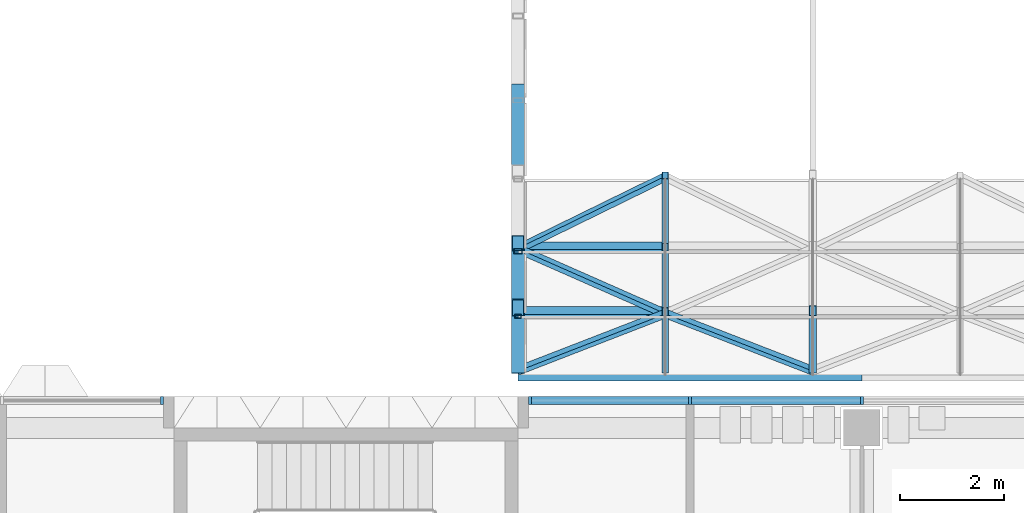
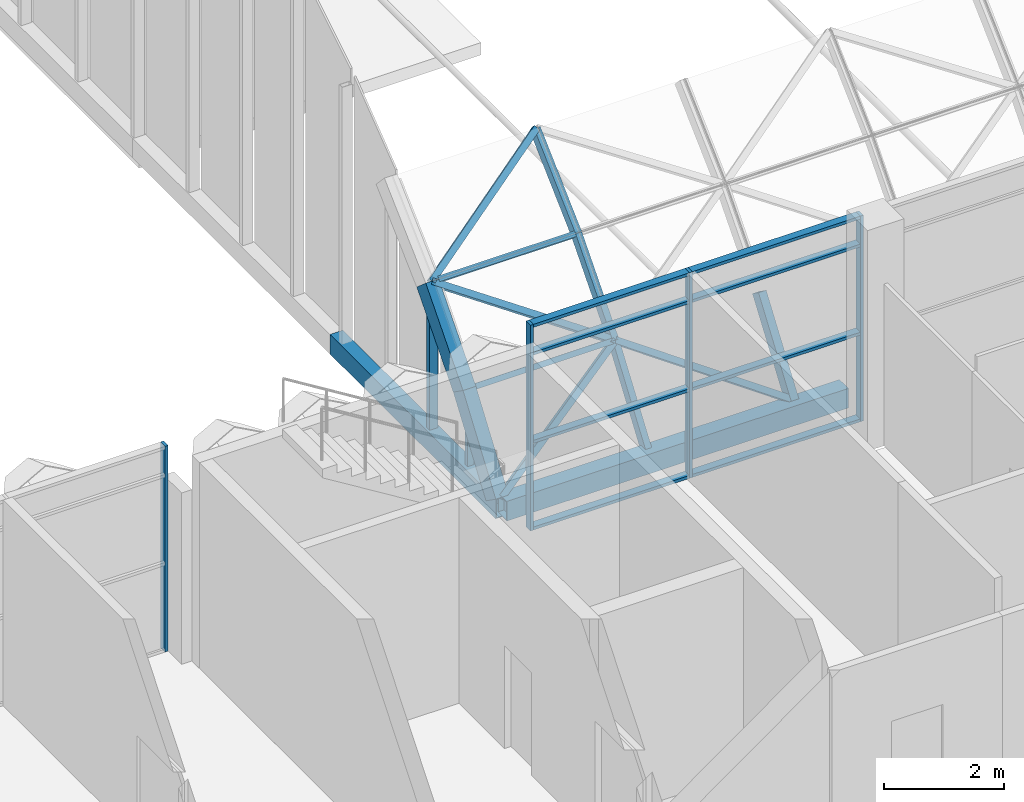
# One storey, part 14 of 109: 26 members, 2 beams, 2 elements without a shape of their own.
"""IFC4 building model written with IfcOpenShell, lengths in metres."""

from ifc_helpers import new_model, si_unit, direction, frame, origin, origin_2d, place, context, subcontext, project, spatial, rectangle, hollow_rectangle, extrude, material, material_profile, profile_set, type_object, element, aggregate, save


model = new_model("IFC4")

# Units and contexts
model_context = context("Model", 3, precision=1e-05, world=origin(), true_north=direction((0.0, 1.0)))
body_context = subcontext(model_context, "Body", "Model", "MODEL_VIEW")
ifc_project = project(units=[si_unit("LENGTHUNIT", "METRE"), si_unit("AREAUNIT", "SQUARE_METRE"), si_unit("VOLUMEUNIT", "CUBIC_METRE"), si_unit("PLANEANGLEUNIT", "RADIAN"), si_unit("MASSUNIT", "GRAM", prefix="KILO")], contexts=[model_context])

# Site, building, storey
site_placement = place(None, origin())
site = spatial("IfcSite", under=ifc_project, at=site_placement, CompositionType="ELEMENT")
building_placement = place(site_placement, origin())
building = spatial("IfcBuilding", under=site, at=building_placement, Name="Lantern Court Research Institute", CompositionType="ELEMENT")
storey_placement = place(building_placement, frame((0.0, 0.0, 14.39990234375)))
storey = spatial("IfcBuildingStorey", under=building, at=storey_placement, Name="L03", CompositionType="ELEMENT", Elevation=14.39990234375)

# Members
ifc_material_1 = material(Name="Structural steel S355", Category="steel")
ifc_material_profile_1 = material_profile(ifc_material_1, hollow_rectangle(XDim=0.25, YDim=0.39990234375, WallThickness=0.01611328125, at=origin_2d()), Name="Gable arch RHS 400 x 250 x 16")
ifc_profile_set_1 = profile_set([ifc_material_profile_1], Name="Structural steel S355")
member_type_1 = type_object("IfcMemberType", Name="Gable arch RHS 400 x 250 x 16", PredefinedType="RAFTER", material=ifc_profile_set_1)
member_1_placement = place(storey_placement, frame((39.60009765625, 24.3134765625, 0.284912109375), z_axis=(0.0, 0.576249781335, 0.817273631969), x_axis=(-1.0, 0.0, 0.0)))
element("IfcMember", 1, at=member_1_placement, inside=storey, type_object=member_type_1, Name="Gable arch", PredefinedType="RAFTER", context=body_context, shape_type="SweptSolid", body=[
    extrude(hollow_rectangle(XDim=0.25, YDim=0.39990234375, WallThickness=0.01611328125, at=origin_2d()), origin(), (0.0, 0.0, 1.0), 1.90234375),
])
member_2_placement = place(storey_placement, frame((39.60009765625, 25.397216796875, 1.82373046875), z_axis=(0.0, 0.655492193344, 0.755201949458), x_axis=(-1.0, 0.0, 0.0)))
element("IfcMember", 2, at=member_2_placement, inside=storey, type_object=member_type_1, Name="Gable arch", PredefinedType="RAFTER", context=body_context, shape_type="SweptSolid", body=[
    extrude(hollow_rectangle(XDim=0.25, YDim=0.39990234375, WallThickness=0.01611328125, at=origin_2d()), origin(), (0.0, 0.0, 1.0), 1.902587890625),
])
ifc_material_2 = material(Name="Structural steel S355", Category="steel")
ifc_material_profile_2 = material_profile(ifc_material_2, hollow_rectangle(XDim=0.1201171875, YDim=0.080078125, WallThickness=0.0048828125, at=origin_2d()), Name="Gable post RHS 120 x 80 x 5")
ifc_profile_set_2 = profile_set([ifc_material_profile_2], Name="Structural steel S355")
member_type_2 = type_object("IfcMemberType", Name="Gable post RHS 120 x 80 x 5", PredefinedType="POST", material=ifc_profile_set_2)
member_3_placement = place(storey_placement, frame((39.60009765625, 25.246337890625, 0.400146484375), z_axis=(0.0, 0.0, 1.0), x_axis=(1.0, 0.0, 0.0)))
element("IfcMember", 3, at=member_3_placement, inside=storey, type_object=member_type_2, Name="Gable post", PredefinedType="POST", context=body_context, shape_type="SweptSolid", body=[
    extrude(hollow_rectangle(XDim=0.1201171875, YDim=0.080078125, WallThickness=0.0048828125, at=origin_2d()), origin(), (0.0, 0.0, 1.0), 1.354736328125),
])
ifc_material_3 = material(Name="Structural steel S355", Category="steel")
ifc_material_profile_3 = material_profile(ifc_material_3, hollow_rectangle(XDim=0.159912109375, YDim=0.10009765625, WallThickness=0.00634765625, at=origin_2d()), Name="Gable post RHS 160 x 100 x 6.3")
ifc_profile_set_3 = profile_set([ifc_material_profile_3], Name="Structural steel S355")
member_type_3 = type_object("IfcMemberType", Name="Gable post RHS 160 x 100 x 6.3", PredefinedType="POST", material=ifc_profile_set_3)
member_4_placement = place(storey_placement, frame((39.60009765625, 26.493408203125, 0.400146484375), z_axis=(0.0, 0.0, 1.0), x_axis=(1.0, 0.0, 0.0)))
element("IfcMember", 4, at=member_4_placement, inside=storey, type_object=member_type_3, Name="Gable post", PredefinedType="POST", context=body_context, shape_type="SweptSolid", body=[
    extrude(hollow_rectangle(XDim=0.159912109375, YDim=0.10009765625, WallThickness=0.00634765625, at=origin_2d()), origin(), (0.0, 0.0, 1.0), 2.79150390625),
])

# Beam
ifc_material_4 = material(Name="Structural steel S355", Category="steel")
ifc_material_profile_4 = material_profile(ifc_material_4, hollow_rectangle(XDim=0.25, YDim=0.39990234375, WallThickness=0.012451171875, at=origin_2d()), Name="Gable sill beam RHS 400 x 250 x 12.5")
ifc_profile_set_4 = profile_set([ifc_material_profile_4], Name="Structural steel S355")
beam_type_1 = type_object("IfcBeamType", Name="Gable sill beam RHS 400 x 250 x 12.5", PredefinedType="BEAM", material=ifc_profile_set_4)
beam_1_placement = place(storey_placement, frame((39.60009765625, 24.14990234375, 0.2001953125), z_axis=(0.0, 1.0, 0.0), x_axis=(-1.0, 0.0, 0.0)))
element("IfcBeam", 5, at=beam_1_placement, inside=storey, type_object=beam_type_1, Name="Sill beam W", PredefinedType="BEAM", context=body_context, shape_type="SweptSolid", body=[
    extrude(hollow_rectangle(XDim=0.25, YDim=0.39990234375, WallThickness=0.012451171875, at=origin_2d()), origin(), (0.0, 0.0, 1.0), 5.550048828125),
])

# Members
ifc_material_5 = material(Name="Structural steel S355", Category="steel")
ifc_material_profile_5 = material_profile(ifc_material_5, hollow_rectangle(XDim=0.1201171875, YDim=0.1201171875, WallThickness=0.008056640625, at=origin_2d()), Name="Gridshell haunch diagonal RHS 120 x 120 x 8")
ifc_profile_set_5 = profile_set([ifc_material_profile_5], Name="Structural steel S355")
member_type_4 = type_object("IfcMemberType", Name="Gridshell haunch diagonal RHS 120 x 120 x 8", PredefinedType="BRACE", material=ifc_profile_set_5)
for number, where, z_axis, x_axis, name in (
    (6, (39.60009765625, 24.198974609375, 0.365478515625), (0.829735110058, 0.321652169121, 0.456157351399), (-0.558157366986, 0.478113831457, 0.678135324142), "Gridshell diagonal"),
    (7, (42.428466796875, 25.29150390625, 1.91552734375), (-0.829752886825, 0.365850474398, 0.42150157436), (-0.55813094053, -0.54388935428, -0.62663723439), "Gridshell diagonal"),
    (8, (39.60009765625, 26.534423828125, 3.347900390625), (0.82973937059, 0.406382493632, 0.382604032602), (-0.558151034099, 0.604115905866, 0.568780621518), "Gridshell diagonal"),
):
    element("IfcMember", number, at=place(storey_placement, frame(where, z_axis=z_axis, x_axis=x_axis)), inside=storey, type_object=member_type_4, Name=name, PredefinedType="BRACE", context=body_context, shape_type="SweptSolid", body=[
        extrude(hollow_rectangle(XDim=0.1201171875, YDim=0.1201171875, WallThickness=0.008056640625, at=origin_2d()), origin(), (0.0, 0.0, 1.0), 3.40869140625),
    ])
member_5_placement = place(storey_placement, frame((45.257080078125, 24.198974609375, 0.365478515625), z_axis=(-0.829757421007, 0.321633055217, 0.45613024464), x_axis=(-0.558124199292, -0.478137532634, -0.678145912065)))
element("IfcMember", 9, at=member_5_placement, inside=storey, type_object=member_type_4, Name="Gridshell diagonal", PredefinedType="BRACE", context=body_context, shape_type="SweptSolid", body=[
    extrude(hollow_rectangle(XDim=0.1201171875, YDim=0.1201171875, WallThickness=0.008056640625, at=origin_2d()), origin(), (0.0, 0.0, 1.0), 3.408935546875),
])
ifc_material_6 = material(Name="Structural steel S355", Category="steel")
ifc_material_profile_6 = material_profile(ifc_material_6, hollow_rectangle(XDim=0.10009765625, YDim=0.199951171875, WallThickness=0.008056640625, at=origin_2d()), Name="Gridshell purlin RHS 200 x 100 x 8")
ifc_profile_set_6 = profile_set([ifc_material_profile_6], Name="Structural steel S355")
member_type_5 = type_object("IfcMemberType", Name="Gridshell purlin RHS 200 x 100 x 8", PredefinedType="PURLIN", material=ifc_profile_set_6)
for number, where, z_axis, x_axis, name in (
    (10, (39.72509765625, 25.324951171875, 1.893310546875), (1.0, 0.0, 0.0), (0.0, 0.616657332959, 0.787231689979), "Gridshell purlin"),
    (11, (39.72509765625, 26.5654296875, 3.322265625), (1.0, 0.0, 0.0), (0.0, 0.692674230917, 0.721250587399), "Gridshell purlin"),
):
    element("IfcMember", number, at=place(storey_placement, frame(where, z_axis=z_axis, x_axis=x_axis)), inside=storey, type_object=member_type_5, Name=name, PredefinedType="PURLIN", context=body_context, shape_type="SweptSolid", body=[
        extrude(hollow_rectangle(XDim=0.10009765625, YDim=0.199951171875, WallThickness=0.008056640625, at=origin_2d()), origin(), (0.0, 0.0, 1.0), 2.6435546875),
    ])

# Beam
ifc_material_7 = material(Name="Structural steel S355", Category="steel")
ifc_material_profile_7 = material_profile(ifc_material_7, hollow_rectangle(XDim=0.300048828125, YDim=0.39990234375, WallThickness=0.01611328125, at=origin_2d()), Name="Gridshell ring beam RHS 400 x 300 x 16")
ifc_profile_set_7 = profile_set([ifc_material_profile_7], Name="Structural steel S355")
beam_type_2 = type_object("IfcBeamType", Name="Gridshell ring beam RHS 400 x 300 x 16", PredefinedType="BEAM", material=ifc_profile_set_7)
beam_2_placement = place(storey_placement, frame((39.60009765625, 24.14990234375, 0.2001953125), z_axis=(1.0, 0.0, 0.0), x_axis=(0.0, 1.0, 0.0)))
element("IfcBeam", 12, at=beam_2_placement, inside=storey, type_object=beam_type_2, Name="Ring beam S", PredefinedType="BEAM", context=body_context, shape_type="SweptSolid", body=[
    extrude(hollow_rectangle(XDim=0.300048828125, YDim=0.39990234375, WallThickness=0.01611328125, at=origin_2d()), origin(), (0.0, 0.0, 1.0), 6.599853515625),
])

# Members
ifc_material_8 = material(Name="Structural steel S355", Category="steel")
ifc_material_profile_8 = material_profile(ifc_material_8, hollow_rectangle(XDim=0.1201171875, YDim=0.199951171875, WallThickness=0.008056640625, at=origin_2d()), Name="Gridshell secondary rib RHS 200 x 120 x 8")
ifc_profile_set_8 = profile_set([ifc_material_profile_8], Name="Structural steel S355")
member_type_6 = type_object("IfcMemberType", Name="Gridshell secondary rib RHS 200 x 120 x 8", PredefinedType="RAFTER", material=ifc_profile_set_8)
member_6_placement = place(storey_placement, frame((42.428466796875, 24.231689453125, 0.342529296875), z_axis=(0.0, 0.576335495229, 0.817213189406), x_axis=(-1.0, 0.0, 0.0)))
element("IfcMember", 13, at=member_6_placement, inside=storey, type_object=member_type_6, Name="Gridshell secondary rib", PredefinedType="RAFTER", context=body_context, shape_type="SweptSolid", body=[
    extrude(hollow_rectangle(XDim=0.1201171875, YDim=0.199951171875, WallThickness=0.008056640625, at=origin_2d()), origin(), (0.0, 0.0, 1.0), 1.90234375),
])
member_7_placement = place(storey_placement, frame((42.428466796875, 25.32177734375, 1.889404296875), z_axis=(0.0, 0.655492193344, 0.755201949458), x_axis=(-1.0, 0.0, 0.0)))
element("IfcMember", 14, at=member_7_placement, inside=storey, type_object=member_type_6, Name="Gridshell secondary rib", PredefinedType="RAFTER", context=body_context, shape_type="SweptSolid", body=[
    extrude(hollow_rectangle(XDim=0.1201171875, YDim=0.199951171875, WallThickness=0.008056640625, at=origin_2d()), origin(), (0.0, 0.0, 1.0), 1.902587890625),
])
member_8_placement = place(storey_placement, frame((42.428466796875, 26.561767578125, 3.31884765625), z_axis=(0.0, 0.728151013069, 0.68541673613), x_axis=(-1.0, 0.0, 0.0)))
element("IfcMember", 15, at=member_8_placement, inside=storey, type_object=member_type_6, Name="Gridshell secondary rib", PredefinedType="RAFTER", context=body_context, shape_type="SweptSolid", body=[
    extrude(hollow_rectangle(XDim=0.1201171875, YDim=0.199951171875, WallThickness=0.008056640625, at=origin_2d()), origin(), (0.0, 0.0, 1.0), 1.90234375),
])
ifc_material_9 = material(Name="Structural steel S355", Category="steel")
ifc_material_profile_9 = material_profile(ifc_material_9, hollow_rectangle(XDim=0.14990234375, YDim=0.25, WallThickness=0.010009765625, at=origin_2d()), Name="Gridshell springing rib RHS 250 x 150 x 10")
ifc_profile_set_9 = profile_set([ifc_material_profile_9], Name="Structural steel S355")
member_type_7 = type_object("IfcMemberType", Name="Gridshell springing rib RHS 250 x 150 x 10", PredefinedType="RAFTER", material=ifc_profile_set_9)
member_9_placement = place(storey_placement, frame((45.257080078125, 24.252197265625, 0.328125), z_axis=(0.0, 0.576249781335, 0.817273631969), x_axis=(-1.0, 0.0, 0.0)))
element("IfcMember", 16, at=member_9_placement, inside=storey, type_object=member_type_7, Name="Gridshell rib", PredefinedType="RAFTER", context=body_context, shape_type="SweptSolid", body=[
    extrude(hollow_rectangle(XDim=0.14990234375, YDim=0.25, WallThickness=0.010009765625, at=origin_2d()), origin(), (0.0, 0.0, 1.0), 1.90234375),
])

# Curtain wall, member
ifc_material_10 = material(Name="Aluminium alloy 6063-T6", Category="aluminium")
curtain_wall_type_1 = type_object("IfcCurtainWallType", Name="Curtain wall 6200 x 4200 x 150 aluminium frame", PredefinedType="NOTDEFINED", material=ifc_material_10)
curtain_wall_1_placement = place(storey_placement, origin())
curtain_wall_1 = element("IfcCurtainWall", 17, at=curtain_wall_1_placement, inside=storey, type_object=curtain_wall_type_1, Name="Curtain wall CW046", PredefinedType="NOTDEFINED")
ifc_material_11 = material(Name="Aluminium alloy 6063-T6", Category="aluminium")
ifc_material_profile_10 = material_profile(ifc_material_11, rectangle(XDim=0.14990234375, YDim=0.06005859375, at=origin_2d()), Name="Mullion 150 x 60")
ifc_profile_set_10 = profile_set([ifc_material_profile_10], Name="Aluminium alloy 6063-T6")
member_type_8 = type_object("IfcMemberType", Name="Mullion 150 x 60 aluminium", PredefinedType="MULLION", material=ifc_profile_set_10)
member_10_placement = place(storey_placement, frame((32.77001953125, 23.625, 0.0), z_axis=(0.0, 0.0, 1.0), x_axis=(0.0, 1.0, 0.0)))
member_10 = element("IfcMember", 18, at=member_10_placement, type_object=member_type_8, Name="CW046 mullion 3", PredefinedType="MULLION", context=body_context, shape_type="SweptSolid", body=[
    extrude(rectangle(XDim=0.14990234375, YDim=0.06005859375, at=origin_2d()), origin(), (0.0, 0.0, 1.0), 4.2001953125),
])
aggregate(curtain_wall_1, [member_10])

# Curtain wall, members
ifc_material_12 = material(Name="Aluminium alloy 6063-T6", Category="aluminium")
curtain_wall_type_2 = type_object("IfcCurtainWallType", Name="Curtain wall 13000 x 4200 x 150 aluminium frame", PredefinedType="NOTDEFINED", material=ifc_material_12)
curtain_wall_2_placement = place(storey_placement, origin())
curtain_wall_2 = element("IfcCurtainWall", 19, at=curtain_wall_2_placement, inside=storey, type_object=curtain_wall_type_2, Name="Curtain wall CW047", PredefinedType="NOTDEFINED")
member_11_placement = place(storey_placement, frame((39.830078125, 23.625, 0.0), z_axis=(0.0, 0.0, 1.0), x_axis=(0.0, 1.0, 0.0)))
member_11 = element("IfcMember", 20, at=member_11_placement, type_object=member_type_8, Name="CW047 mullion 1", PredefinedType="MULLION", context=body_context, shape_type="SweptSolid", body=[
    extrude(rectangle(XDim=0.14990234375, YDim=0.06005859375, at=origin_2d()), origin(), (0.0, 0.0, 1.0), 4.2001953125),
])
member_12_placement = place(storey_placement, frame((42.89990234375, 23.625, 0.0), z_axis=(0.0, 0.0, 1.0), x_axis=(0.0, 1.0, 0.0)))
member_12 = element("IfcMember", 21, at=member_12_placement, type_object=member_type_8, Name="CW047 mullion 2", PredefinedType="MULLION", context=body_context, shape_type="SweptSolid", body=[
    extrude(rectangle(XDim=0.14990234375, YDim=0.06005859375, at=origin_2d()), origin(), (0.0, 0.0, 1.0), 4.2001953125),
])
member_13_placement = place(storey_placement, frame((46.199951171875, 23.625, 0.0), z_axis=(0.0, 0.0, 1.0), x_axis=(0.0, 1.0, 0.0)))
member_13 = element("IfcMember", 22, at=member_13_placement, type_object=member_type_8, Name="CW047 mullion 3", PredefinedType="MULLION", context=body_context, shape_type="SweptSolid", body=[
    extrude(rectangle(XDim=0.14990234375, YDim=0.06005859375, at=origin_2d()), origin(), (0.0, 0.0, 1.0), 4.2001953125),
])
ifc_material_13 = material(Name="Aluminium alloy 6063-T6", Category="aluminium")
ifc_material_profile_11 = material_profile(ifc_material_13, rectangle(XDim=0.14990234375, YDim=0.06005859375, at=origin_2d()), Name="Transom 150 x 60")
ifc_profile_set_11 = profile_set([ifc_material_profile_11], Name="Aluminium alloy 6063-T6")
member_type_9 = type_object("IfcMemberType", Name="Transom 150 x 60 aluminium", PredefinedType="USERDEFINED", material=ifc_profile_set_11)
member_14_placement = place(storey_placement, frame((39.860107421875, 23.625, 0.030029296875), z_axis=(1.0, 0.0, 0.0), x_axis=(0.0, 1.0, 0.0)))
member_14 = element("IfcMember", 23, at=member_14_placement, type_object=member_type_9, Name="CW047 transom 1.1", ObjectType="TRANSOM", PredefinedType="USERDEFINED", context=body_context, shape_type="SweptSolid", body=[
    extrude(rectangle(XDim=0.14990234375, YDim=0.06005859375, at=origin_2d()), origin(), (0.0, 0.0, 1.0), 3.010009765625),
])
member_15_placement = place(storey_placement, frame((39.860107421875, 23.625, 1.800048828125), z_axis=(1.0, 0.0, 0.0), x_axis=(0.0, 1.0, 0.0)))
member_15 = element("IfcMember", 24, at=member_15_placement, type_object=member_type_9, Name="CW047 transom 1.2", ObjectType="TRANSOM", PredefinedType="USERDEFINED", context=body_context, shape_type="SweptSolid", body=[
    extrude(rectangle(XDim=0.14990234375, YDim=0.06005859375, at=origin_2d()), origin(), (0.0, 0.0, 1.0), 3.010009765625),
])
member_16_placement = place(storey_placement, frame((39.860107421875, 23.625, 3.60009765625), z_axis=(1.0, 0.0, 0.0), x_axis=(0.0, 1.0, 0.0)))
member_16 = element("IfcMember", 25, at=member_16_placement, type_object=member_type_9, Name="CW047 transom 1.3", ObjectType="TRANSOM", PredefinedType="USERDEFINED", context=body_context, shape_type="SweptSolid", body=[
    extrude(rectangle(XDim=0.14990234375, YDim=0.06005859375, at=origin_2d()), origin(), (0.0, 0.0, 1.0), 3.010009765625),
])
member_17_placement = place(storey_placement, frame((39.860107421875, 23.625, 4.170166015625), z_axis=(1.0, 0.0, 0.0), x_axis=(0.0, 1.0, 0.0)))
member_17 = element("IfcMember", 26, at=member_17_placement, type_object=member_type_9, Name="CW047 transom 1.4", ObjectType="TRANSOM", PredefinedType="USERDEFINED", context=body_context, shape_type="SweptSolid", body=[
    extrude(rectangle(XDim=0.14990234375, YDim=0.06005859375, at=origin_2d()), origin(), (0.0, 0.0, 1.0), 3.010009765625),
])
member_18_placement = place(storey_placement, frame((42.929931640625, 23.625, 0.030029296875), z_axis=(1.0, 0.0, 0.0), x_axis=(0.0, 1.0, 0.0)))
member_18 = element("IfcMember", 27, at=member_18_placement, type_object=member_type_9, Name="CW047 transom 2.1", ObjectType="TRANSOM", PredefinedType="USERDEFINED", context=body_context, shape_type="SweptSolid", body=[
    extrude(rectangle(XDim=0.14990234375, YDim=0.06005859375, at=origin_2d()), origin(), (0.0, 0.0, 1.0), 3.239990234375),
])
member_19_placement = place(storey_placement, frame((42.929931640625, 23.625, 1.800048828125), z_axis=(1.0, 0.0, 0.0), x_axis=(0.0, 1.0, 0.0)))
member_19 = element("IfcMember", 28, at=member_19_placement, type_object=member_type_9, Name="CW047 transom 2.2", ObjectType="TRANSOM", PredefinedType="USERDEFINED", context=body_context, shape_type="SweptSolid", body=[
    extrude(rectangle(XDim=0.14990234375, YDim=0.06005859375, at=origin_2d()), origin(), (0.0, 0.0, 1.0), 3.239990234375),
])
member_20_placement = place(storey_placement, frame((42.929931640625, 23.625, 3.60009765625), z_axis=(1.0, 0.0, 0.0), x_axis=(0.0, 1.0, 0.0)))
member_20 = element("IfcMember", 29, at=member_20_placement, type_object=member_type_9, Name="CW047 transom 2.3", ObjectType="TRANSOM", PredefinedType="USERDEFINED", context=body_context, shape_type="SweptSolid", body=[
    extrude(rectangle(XDim=0.14990234375, YDim=0.06005859375, at=origin_2d()), origin(), (0.0, 0.0, 1.0), 3.239990234375),
])
member_21_placement = place(storey_placement, frame((42.929931640625, 23.625, 4.170166015625), z_axis=(1.0, 0.0, 0.0), x_axis=(0.0, 1.0, 0.0)))
member_21 = element("IfcMember", 30, at=member_21_placement, type_object=member_type_9, Name="CW047 transom 2.4", ObjectType="TRANSOM", PredefinedType="USERDEFINED", context=body_context, shape_type="SweptSolid", body=[
    extrude(rectangle(XDim=0.14990234375, YDim=0.06005859375, at=origin_2d()), origin(), (0.0, 0.0, 1.0), 3.239990234375),
])
aggregate(curtain_wall_2, [member_11, member_12, member_13, member_14, member_15, member_16, member_17, member_18, member_19, member_20, member_21])

save(model, "model.ifc")
